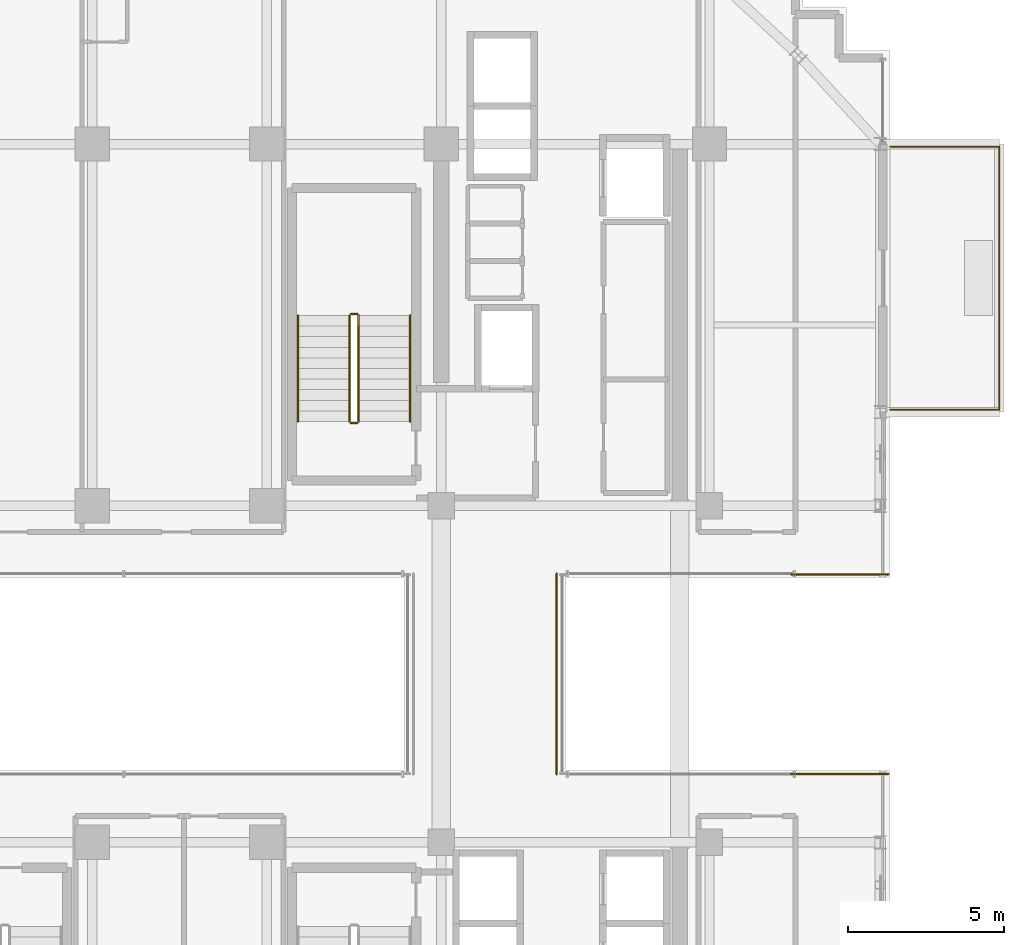
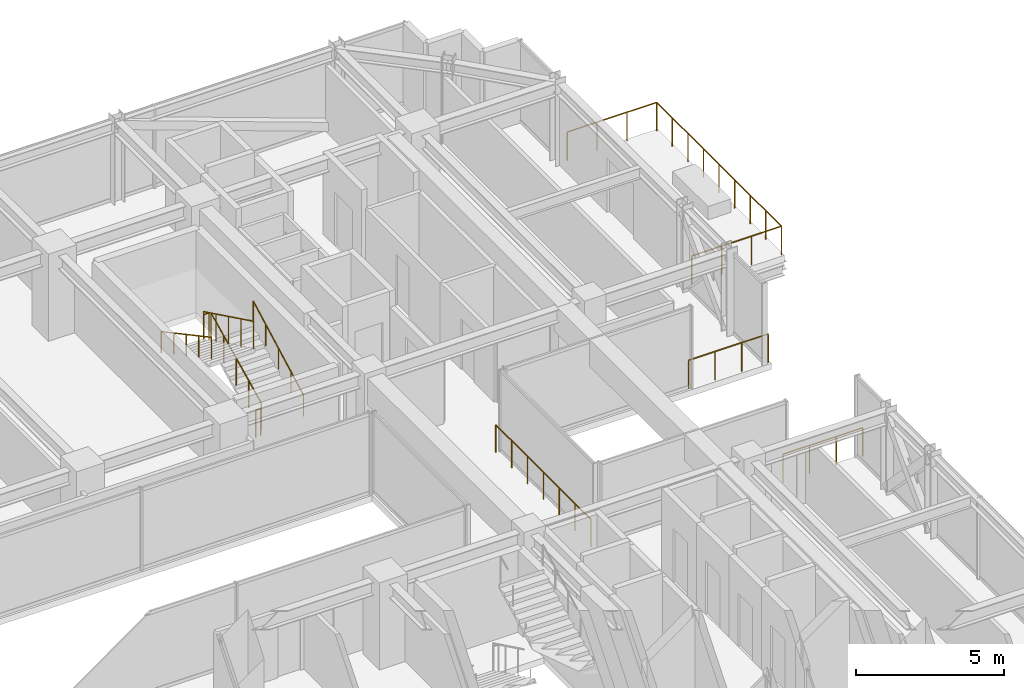
# One storey, part 37 of 38: 10 railings.
"""IFC4 building model written with IfcOpenShell, lengths in metres."""

from ifc_helpers import new_model, si_unit, direction, frame, origin, origin_2d, place, context, subcontext, project, spatial, circle, extrude, material, type_object, element, save


model = new_model("IFC4")

# Units and contexts
model_context = context("Model", 3, precision=1e-05, world=origin(), true_north=direction((0.0, 1.0)))
body_context = subcontext(model_context, "Body", "Model", "MODEL_VIEW")
ifc_project = project(units=[si_unit("LENGTHUNIT", "METRE"), si_unit("AREAUNIT", "SQUARE_METRE"), si_unit("VOLUMEUNIT", "CUBIC_METRE"), si_unit("PLANEANGLEUNIT", "RADIAN"), si_unit("MASSUNIT", "GRAM", prefix="KILO")], contexts=[model_context])

# Site, building, storey
site_placement = place(None, origin())
site = spatial("IfcSite", under=ifc_project, at=site_placement, CompositionType="ELEMENT")
building_placement = place(site_placement, origin())
building = spatial("IfcBuilding", under=site, at=building_placement, Name="Nahalor Promenade Grand Hotel", CompositionType="ELEMENT")
storey_placement = place(building_placement, frame((0.0, 0.0, 178.199951171875)))
storey = spatial("IfcBuildingStorey", under=building, at=storey_placement, Name="L45", CompositionType="ELEMENT", Elevation=178.199951171875)

# Railings
ifc_material_1 = material(Name="Anodised Bronze Aluminium EN AW-6063 T6", Category="aluminium")
railing_type_1 = type_object("IfcRailingType", Name="Bronze Balcony Guardrail 1200 mm", PredefinedType="GUARDRAIL", material=ifc_material_1)
for number, where, name in (
    (1, (19.6201171875, -3.199951171875, 0.0), "L45 Oculus Void Edge Guardrail ES"),
    (2, (19.6201171875, 3.199951171875, 0.0), "L45 Oculus Void Edge Guardrail EN"),
):
    element("IfcRailing", number, at=place(storey_placement, frame(where)), inside=storey, type_object=railing_type_1, Name=name, PredefinedType="GUARDRAIL", context=body_context, shape_type="SweptSolid", body=[
        extrude(circle(Radius=0.024048, at=origin_2d()), frame((0.0, 0.0, 1.17578125), z_axis=(1.0, 0.0, 0.0), x_axis=(0.0, 1.0, 0.0)), (0.0, 0.0, 1.0), 3.119873046875),
        extrude(circle(Radius=0.020996, at=origin_2d()), origin(), (0.0, 0.0, 1.0), 1.14990234375),
        extrude(circle(Radius=0.020996, at=origin_2d()), frame((1.0400390625, 0.0, 0.0)), (0.0, 0.0, 1.0), 1.14990234375),
        extrude(circle(Radius=0.020996, at=origin_2d()), frame((2.079833984375, 0.0, 0.0)), (0.0, 0.0, 1.0), 1.14990234375),
        extrude(circle(Radius=0.020996, at=origin_2d()), frame((3.119873046875, 0.0, 0.0)), (0.0, 0.0, 1.0), 1.14990234375),
    ])
railing_1_placement = place(storey_placement, frame((22.800048828125, 8.47998046875, 0.0)))
element("IfcRailing", 3, at=railing_1_placement, inside=storey, type_object=railing_type_1, Name="L45 Balcony Guardrail 2", PredefinedType="GUARDRAIL", context=body_context, shape_type="SweptSolid", body=[
    extrude(circle(Radius=0.024048, at=origin_2d()), frame((0.0, 0.0, 1.17578125), z_axis=(1.0, 0.0, 0.0), x_axis=(0.0, 1.0, 0.0)), (0.0, 0.0, 1.0), 3.498046875),
    extrude(circle(Radius=0.024048, at=origin_2d()), frame((3.5, 0.001953125, 1.17578125), z_axis=(0.0, 1.0, 0.0), x_axis=(-1.0, 0.0, 0.0)), (0.0, 0.0, 1.0), 8.43603515625),
    extrude(circle(Radius=0.024048, at=origin_2d()), frame((3.498046875, 8.43994140625, 1.17578125), z_axis=(-1.0, 0.0, 0.0), x_axis=(0.0, -1.0, 0.0)), (0.0, 0.0, 1.0), 3.498046875),
    extrude(circle(Radius=0.020996, at=origin_2d()), origin(), (0.0, 0.0, 1.0), 1.14990234375),
    extrude(circle(Radius=0.020996, at=origin_2d()), frame((1.166748046875, 0.0, 0.0)), (0.0, 0.0, 1.0), 1.14990234375),
    extrude(circle(Radius=0.020996, at=origin_2d()), frame((2.333251953125, 0.0, 0.0)), (0.0, 0.0, 1.0), 1.14990234375),
    extrude(circle(Radius=0.020996, at=origin_2d()), frame((3.5, 0.0, 0.0)), (0.0, 0.0, 1.0), 1.14990234375),
    extrude(circle(Radius=0.020996, at=origin_2d()), frame((3.5, 1.054931640625, 0.0)), (0.0, 0.0, 1.0), 1.14990234375),
    extrude(circle(Radius=0.020996, at=origin_2d()), frame((3.5, 2.10986328125, 0.0)), (0.0, 0.0, 1.0), 1.14990234375),
    extrude(circle(Radius=0.020996, at=origin_2d()), frame((3.5, 3.1650390625, 0.0)), (0.0, 0.0, 1.0), 1.14990234375),
    extrude(circle(Radius=0.020996, at=origin_2d()), frame((3.5, 4.219970703125, 0.0)), (0.0, 0.0, 1.0), 1.14990234375),
    extrude(circle(Radius=0.020996, at=origin_2d()), frame((3.5, 5.27490234375, 0.0)), (0.0, 0.0, 1.0), 1.14990234375),
    extrude(circle(Radius=0.020996, at=origin_2d()), frame((3.5, 6.330078125, 0.0)), (0.0, 0.0, 1.0), 1.14990234375),
    extrude(circle(Radius=0.020996, at=origin_2d()), frame((3.5, 7.385009765625, 0.0)), (0.0, 0.0, 1.0), 1.14990234375),
    extrude(circle(Radius=0.020996, at=origin_2d()), frame((3.5, 8.43994140625, 0.0)), (0.0, 0.0, 1.0), 1.14990234375),
    extrude(circle(Radius=0.020996, at=origin_2d()), frame((2.333251953125, 8.43994140625, 0.0)), (0.0, 0.0, 1.0), 1.14990234375),
    extrude(circle(Radius=0.020996, at=origin_2d()), frame((1.166748046875, 8.43994140625, 0.0)), (0.0, 0.0, 1.0), 1.14990234375),
    extrude(circle(Radius=0.020996, at=origin_2d()), frame((0.0, 8.43994140625, 0.0)), (0.0, 0.0, 1.0), 1.14990234375),
])
railing_type_2 = type_object("IfcRailingType", Name="Bronze Sky Balustrade 1150 mm", PredefinedType="BALUSTRADE", material=ifc_material_1)
railing_2_placement = place(storey_placement, frame((12.10009765625, -3.219970703125, 0.0)))
element("IfcRailing", 4, at=railing_2_placement, inside=storey, type_object=railing_type_2, Name="BL-L45-BRG-E", PredefinedType="BALUSTRADE", context=body_context, shape_type="SweptSolid", body=[
    extrude(circle(Radius=0.024048, at=origin_2d()), frame((0.0, 0.0, 1.1259765625), z_axis=(0.0, 1.0, 0.0), x_axis=(-1.0, 0.0, 0.0)), (0.0, 0.0, 1.0), 6.43994140625),
    extrude(circle(Radius=0.020996, at=origin_2d()), origin(), (0.0, 0.0, 1.0), 1.099853515625),
    extrude(circle(Radius=0.020996, at=origin_2d()), frame((0.0, 1.0732421875, 0.0)), (0.0, 0.0, 1.0), 1.099853515625),
    extrude(circle(Radius=0.020996, at=origin_2d()), frame((0.0, 2.146728515625, 0.0)), (0.0, 0.0, 1.0), 1.099853515625),
    extrude(circle(Radius=0.020996, at=origin_2d()), frame((0.0, 3.219970703125, 0.0)), (0.0, 0.0, 1.0), 1.099853515625),
    extrude(circle(Radius=0.020996, at=origin_2d()), frame((0.0, 4.293212890625, 0.0)), (0.0, 0.0, 1.0), 1.099853515625),
    extrude(circle(Radius=0.020996, at=origin_2d()), frame((0.0, 5.36669921875, 0.0)), (0.0, 0.0, 1.0), 1.099853515625),
    extrude(circle(Radius=0.020996, at=origin_2d()), frame((0.0, 6.43994140625, 0.0)), (0.0, 0.0, 1.0), 1.099853515625),
])
ifc_material_2 = material(Name="Steel S355JR", Category="steel")
railing_type_3 = type_object("IfcRailingType", Name="Steel Stair Guardrail 1150 mm", PredefinedType="GUARDRAIL", material=ifc_material_2)
railing_3_placement = place(storey_placement, frame((5.75, 8.10009765625, 0.166015625)))
element("IfcRailing", 5, at=railing_3_placement, inside=storey, type_object=railing_type_3, Name="L45 ST1 stair guard 1", PredefinedType="GUARDRAIL", context=body_context, shape_type="SweptSolid", body=[
    extrude(circle(Radius=0.024048, at=origin_2d()), frame((0.0, 0.0, 1.1259765625), z_axis=(0.0, 0.898721922897, 0.438518990814), x_axis=(-1.0, 0.0, 0.0)), (0.0, 0.0, 1.0), 3.782958984375),
    extrude(circle(Radius=0.020996, at=origin_2d()), origin(), (0.0, 0.0, 1.0), 1.099853515625),
    extrude(circle(Radius=0.020996, at=origin_2d()), frame((0.0, 0.85009765625, 0.414794921875)), (0.0, 0.0, 1.0), 1.099853515625),
    extrude(circle(Radius=0.020996, at=origin_2d()), frame((0.0, 1.699951171875, 0.82958984375)), (0.0, 0.0, 1.0), 1.099853515625),
    extrude(circle(Radius=0.020996, at=origin_2d()), frame((0.0, 2.5498046875, 1.244140625)), (0.0, 0.0, 1.0), 1.099853515625),
    extrude(circle(Radius=0.020996, at=origin_2d()), frame((0.0, 3.39990234375, 1.658935546875)), (0.0, 0.0, 1.0), 1.099853515625),
])
railing_4_placement = place(storey_placement, frame((5.699951171875, 11.550048828125, 1.824951171875)))
element("IfcRailing", 6, at=railing_4_placement, inside=storey, type_object=railing_type_3, Name="L45 ST1 stair guard 2", PredefinedType="GUARDRAIL", context=body_context, shape_type="SweptSolid", body=[
    extrude(circle(Radius=0.024048, at=origin_2d()), frame((0.0, 0.0, 1.1259765625), z_axis=(-1.0, 0.0, 0.0), x_axis=(0.0, -1.0, 0.0)), (0.0, 0.0, 1.0), 0.199951171875),
    extrude(circle(Radius=0.020996, at=origin_2d()), origin(), (0.0, 0.0, 1.0), 1.099853515625),
    extrude(circle(Radius=0.020996, at=origin_2d()), frame((-0.199951171875, 0.0, 0.0)), (0.0, 0.0, 1.0), 1.099853515625),
])
railing_5_placement = place(storey_placement, frame((5.449951171875, 11.5, 1.990966796875)))
element("IfcRailing", 7, at=railing_5_placement, inside=storey, type_object=railing_type_3, Name="L45 ST1 stair guard 3", PredefinedType="GUARDRAIL", context=body_context, shape_type="SweptSolid", body=[
    extrude(circle(Radius=0.024048, at=origin_2d()), frame((0.0, 0.0, 1.1259765625), z_axis=(0.0, -0.898696488221, 0.438571114028), x_axis=(1.0, 0.0, 0.0)), (0.0, 0.0, 1.0), 3.783203125),
    extrude(circle(Radius=0.020996, at=origin_2d()), origin(), (0.0, 0.0, 1.0), 1.099853515625),
    extrude(circle(Radius=0.020996, at=origin_2d()), frame((0.0, -0.85009765625, 0.414794921875)), (0.0, 0.0, 1.0), 1.099853515625),
    extrude(circle(Radius=0.020996, at=origin_2d()), frame((0.0, -1.699951171875, 0.82958984375)), (0.0, 0.0, 1.0), 1.099853515625),
    extrude(circle(Radius=0.020996, at=origin_2d()), frame((0.0, -2.5498046875, 1.244384765625)), (0.0, 0.0, 1.0), 1.099853515625),
    extrude(circle(Radius=0.020996, at=origin_2d()), frame((0.0, -3.39990234375, 1.6591796875)), (0.0, 0.0, 1.0), 1.099853515625),
])
railing_6_placement = place(storey_placement, frame((5.699951171875, 8.050048828125, 0.0)))
element("IfcRailing", 8, at=railing_6_placement, inside=storey, type_object=railing_type_3, Name="L45 ST1 stair guard 4", PredefinedType="GUARDRAIL", context=body_context, shape_type="SweptSolid", body=[
    extrude(circle(Radius=0.024048, at=origin_2d()), frame((0.0, 0.0, 1.1259765625), z_axis=(-1.0, 0.0, 0.0), x_axis=(0.0, -1.0, 0.0)), (0.0, 0.0, 1.0), 0.199951171875),
    extrude(circle(Radius=0.020996, at=origin_2d()), origin(), (0.0, 0.0, 1.0), 1.099853515625),
    extrude(circle(Radius=0.020996, at=origin_2d()), frame((-0.199951171875, 0.0, 0.0)), (0.0, 0.0, 1.0), 1.099853515625),
])
railing_type_4 = type_object("IfcRailingType", Name="Steel Stair Handrail 900 mm", PredefinedType="HANDRAIL", material=ifc_material_2)
railing_7_placement = place(storey_placement, frame((7.39990234375, 8.10009765625, 0.166015625)))
element("IfcRailing", 9, at=railing_7_placement, inside=storey, type_object=railing_type_4, Name="L45 ST1 stair handrail 1", PredefinedType="HANDRAIL", context=body_context, shape_type="SweptSolid", body=[
    extrude(circle(Radius=0.024048, at=origin_2d()), frame((0.0, 0.0, 0.8759765625), z_axis=(0.0, 0.881094038095, 0.47294111265), x_axis=(-1.0, 0.0, 0.0)), (0.0, 0.0, 1.0), 3.858642578125),
    extrude(circle(Radius=0.020996, at=origin_2d()), origin(), (0.0, 0.0, 1.0), 0.849853515625),
    extrude(circle(Radius=0.020996, at=origin_2d()), frame((0.0, 0.85009765625, 0.456298828125)), (0.0, 0.0, 1.0), 0.849853515625),
    extrude(circle(Radius=0.020996, at=origin_2d()), frame((0.0, 1.699951171875, 0.91259765625)), (0.0, 0.0, 1.0), 0.849853515625),
    extrude(circle(Radius=0.020996, at=origin_2d()), frame((0.0, 2.5498046875, 1.36865234375)), (0.0, 0.0, 1.0), 0.849853515625),
    extrude(circle(Radius=0.020996, at=origin_2d()), frame((0.0, 3.39990234375, 1.824951171875)), (0.0, 0.0, 1.0), 0.849853515625),
])
railing_8_placement = place(storey_placement, frame((3.800048828125, 11.5, 1.990966796875)))
element("IfcRailing", 10, at=railing_8_placement, inside=storey, type_object=railing_type_4, Name="L45 ST1 stair handrail 2", PredefinedType="HANDRAIL", context=body_context, shape_type="SweptSolid", body=[
    extrude(circle(Radius=0.024048, at=origin_2d()), frame((0.0, 0.0, 0.8759765625), z_axis=(0.0, -0.881094038095, 0.47294111265), x_axis=(1.0, 0.0, 0.0)), (0.0, 0.0, 1.0), 3.858642578125),
    extrude(circle(Radius=0.020996, at=origin_2d()), origin(), (0.0, 0.0, 1.0), 0.849853515625),
    extrude(circle(Radius=0.020996, at=origin_2d()), frame((0.0, -0.85009765625, 0.456298828125)), (0.0, 0.0, 1.0), 0.849853515625),
    extrude(circle(Radius=0.020996, at=origin_2d()), frame((0.0, -1.699951171875, 0.91259765625)), (0.0, 0.0, 1.0), 0.849853515625),
    extrude(circle(Radius=0.020996, at=origin_2d()), frame((0.0, -2.5498046875, 1.36865234375)), (0.0, 0.0, 1.0), 0.849853515625),
    extrude(circle(Radius=0.020996, at=origin_2d()), frame((0.0, -3.39990234375, 1.824951171875)), (0.0, 0.0, 1.0), 0.849853515625),
])

save(model, "model.ifc")
